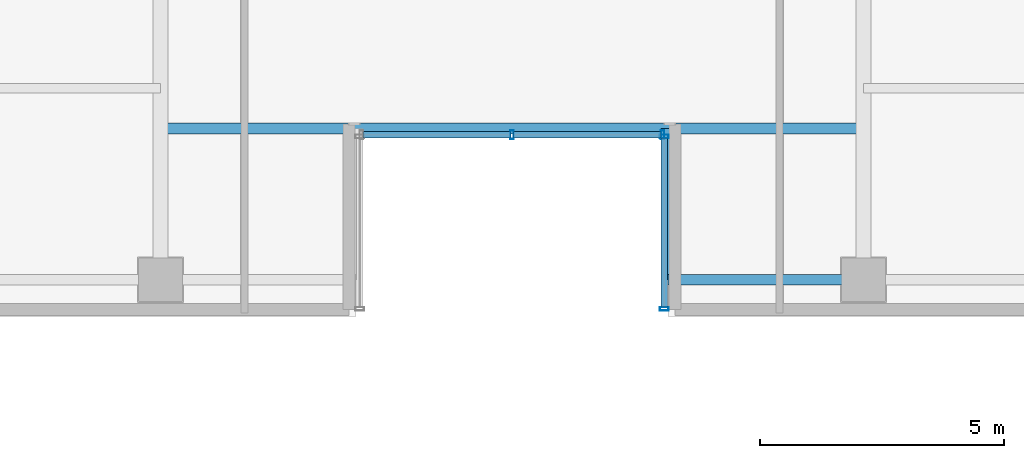
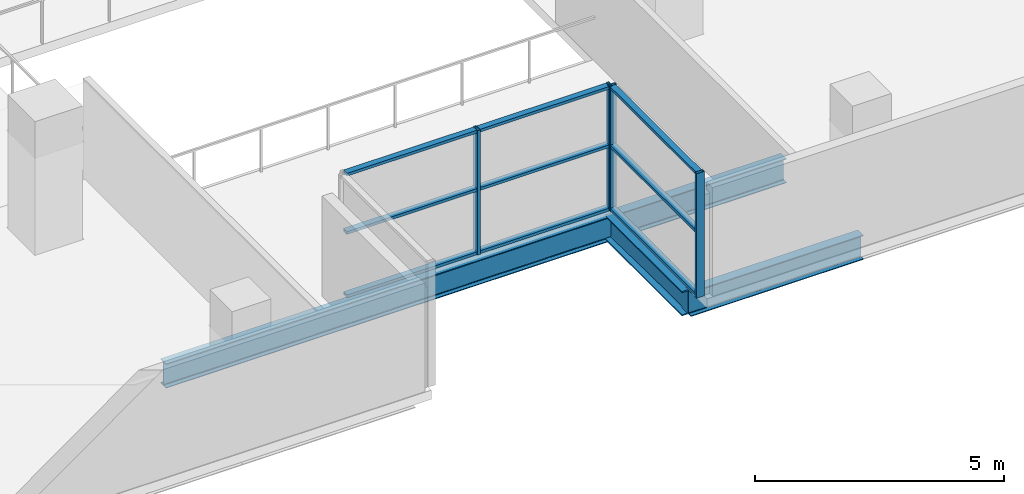
# One storey, part 9 of 31: 13 members, 3 beams, 2 elements without a shape of their own.
"""IFC4 building model written with IfcOpenShell, lengths in metres."""

from ifc_helpers import new_model, si_unit, direction, frame, origin, origin_2d, place, context, subcontext, project, spatial, hollow_rectangle, i_section, extrude, source, transform, mapped, material, layer, layer_set, material_profile, profile_set, type_object, element, aggregate, save


model = new_model("IFC4")

# Units and contexts
model_context = context("Model", 3, precision=1e-05, world=origin(), true_north=direction((0.0, 1.0)))
body_context = subcontext(model_context, "Body", "Model", "MODEL_VIEW")
ifc_project = project(units=[si_unit("LENGTHUNIT", "METRE"), si_unit("AREAUNIT", "SQUARE_METRE"), si_unit("VOLUMEUNIT", "CUBIC_METRE"), si_unit("PLANEANGLEUNIT", "RADIAN"), si_unit("MASSUNIT", "GRAM", prefix="KILO")], contexts=[model_context])

# Site, building, storey
site_placement = place(None, origin())
site = spatial("IfcSite", under=ifc_project, at=site_placement, CompositionType="ELEMENT")
building_placement = place(site_placement, origin())
building = spatial("IfcBuilding", under=site, at=building_placement, Name="Zarnakvel Exchange Tower", CompositionType="ELEMENT")
storey_placement = place(building_placement, frame((0.0, 0.0, 47.199951171875)))
storey = spatial("IfcBuildingStorey", under=building, at=storey_placement, Name="L12", CompositionType="ELEMENT", Elevation=47.199951171875)

# Beams
ifc_material_1 = material(Name="Steel S355", Category="steel")
ifc_material_profile_1 = material_profile(ifc_material_1, i_section(OverallWidth=0.300048828125, OverallDepth=0.60009765625, WebThickness=0.015380859375, FlangeThickness=0.030029296875, FilletRadius=0.027099609375, at=origin_2d()))
ifc_profile_set_1 = profile_set([ifc_material_profile_1], Name="Steel S355")
beam_type_1 = type_object("IfcBeamType", Name="G-04", PredefinedType="BEAM", material=ifc_profile_set_1)
beam_1_placement = place(storey_placement, frame((3.199951171875, -17.449951171875, -0.52490234375), z_axis=(0.0, 1.0, 0.0), x_axis=(-1.0, 0.0, 0.0)))
element("IfcBeam", 1, at=beam_1_placement, inside=storey, type_object=beam_type_1, Name="L12 South Slot East Cheek Beam", PredefinedType="BEAM", context=body_context, shape_type="SweptSolid", body=[
    extrude(i_section(OverallWidth=0.300048828125, OverallDepth=0.60009765625, WebThickness=0.015380859375, FlangeThickness=0.030029296875, FilletRadius=0.027099609375, at=origin_2d()), origin(), (0.0, 0.0, 1.0), 3.099853515625),
])
ifc_material_profile_2 = material_profile(ifc_material_1, i_section(OverallWidth=0.219970703125, OverallDepth=0.60009765625, WebThickness=0.011962890625, FlangeThickness=0.01904296875, FilletRadius=0.02392578125, at=origin_2d()))
ifc_profile_set_2 = profile_set([ifc_material_profile_2], Name="Steel S355")
beam_type_2 = type_object("IfcBeamType", Name="SP-01", PredefinedType="SPANDREL", material=ifc_profile_set_2)
beam_2_placement = place(storey_placement, frame((3.199951171875, -17.449951171875, -0.52490234375), z_axis=(1.0, 0.0, 0.0), x_axis=(0.0, 1.0, 0.0)))
element("IfcBeam", 2, at=beam_2_placement, inside=storey, type_object=beam_type_2, Name="L12 South Slot East Jamb Spandrel", PredefinedType="SPANDREL", context=body_context, shape_type="SweptSolid", body=[
    extrude(i_section(OverallWidth=0.219970703125, OverallDepth=0.60009765625, WebThickness=0.011962890625, FlangeThickness=0.01904296875, FilletRadius=0.02392578125, at=origin_2d()), origin(), (0.0, 0.0, 1.0), 4.0),
])
beam_3_placement = place(storey_placement, frame((-7.199951171875, -14.35009765625, -0.52490234375), z_axis=(1.0, 0.0, 0.0), x_axis=(0.0, 1.0, 0.0)))
element("IfcBeam", 3, at=beam_3_placement, inside=storey, type_object=beam_type_2, Name="L12 South Slot Head Trimmer Girder", PredefinedType="SPANDREL", context=body_context, shape_type="SweptSolid", body=[
    extrude(i_section(OverallWidth=0.219970703125, OverallDepth=0.60009765625, WebThickness=0.011962890625, FlangeThickness=0.01904296875, FilletRadius=0.02392578125, at=origin_2d()), origin(), (0.0, 0.0, 1.0), 14.39990234375),
])

# Curtain wall, members
ifc_material_2 = material(Name="Architectural Bronze Anodised Aluminium", Category="aluminium")
ifc_layer = layer(ifc_material_2, 0.179931640625)
ifc_layer_set = layer_set([ifc_layer], Name="Architectural Bronze Anodised Aluminium")
curtain_wall_type = type_object("IfcCurtainWallType", Name="CW-05", PredefinedType="NOTDEFINED", material=ifc_layer_set)
curtain_wall_1_placement = place(storey_placement, origin())
curtain_wall_1 = element("IfcCurtainWall", 4, at=curtain_wall_1_placement, inside=storey, type_object=curtain_wall_type, Name="L12 Curtain Wall CW-L12-SLE (CW-05)", PredefinedType="NOTDEFINED")
ifc_material_profile_3 = material_profile(ifc_material_2, hollow_rectangle(XDim=0.139892578125, YDim=0.070068359375, WallThickness=0.00390625, at=origin_2d()))
ifc_profile_set_3 = profile_set([ifc_material_profile_3], Name="Architectural Bronze Anodised Aluminium")
member_type_1 = type_object("IfcMemberType", Name="CWT-05", PredefinedType="USERDEFINED", material=ifc_profile_set_3)
shared_shape_1 = source(origin(), body_context, "Body", "SweptSolid", [
    extrude(hollow_rectangle(XDim=0.139892578125, YDim=0.070068359375, WallThickness=0.00390625, at=origin_2d()), origin(), (0.0, 0.0, 1.0), 3.4599609375),
])
member_1_placement = place(storey_placement, frame((3.1201171875, -14.550048828125, 0.03515625), z_axis=(0.0, -1.0, 0.0), x_axis=(1.0, 0.0, 0.0)))
member_1 = element("IfcMember", 5, at=member_1_placement, type_object=member_type_1, Name="CW-05 transom 1.1", ObjectType="TRANSOM", PredefinedType="USERDEFINED", context=body_context, shape_type="MappedRepresentation", body=[
    mapped(shared_shape_1, transform((0.0, 0.0, 0.0), x_axis=(1.0, 0.0, 0.0), y_axis=(0.0, 1.0, 0.0), z_axis=(0.0, 0.0, 1.0), scale=1.0)),
])
member_2_placement = place(storey_placement, frame((3.1201171875, -14.550048828125, 1.588623046875), z_axis=(0.0, -1.0, 0.0), x_axis=(1.0, 0.0, 0.0)))
member_2 = element("IfcMember", 6, at=member_2_placement, type_object=member_type_1, Name="CW-05 transom 1.2", ObjectType="TRANSOM", PredefinedType="USERDEFINED", context=body_context, shape_type="MappedRepresentation", body=[
    mapped(shared_shape_1, transform((0.0, 0.0, 0.0), x_axis=(1.0, 0.0, 0.0), y_axis=(0.0, 1.0, 0.0), z_axis=(0.0, 0.0, 1.0), scale=1.0)),
])
member_3_placement = place(storey_placement, frame((3.1201171875, -14.550048828125, 3.02001953125), z_axis=(0.0, -1.0, 0.0), x_axis=(1.0, 0.0, 0.0)))
member_3 = element("IfcMember", 7, at=member_3_placement, type_object=member_type_1, Name="CW-05 transom 1.3", ObjectType="TRANSOM", PredefinedType="USERDEFINED", context=body_context, shape_type="MappedRepresentation", body=[
    mapped(shared_shape_1, transform((0.0, 0.0, 0.0), x_axis=(1.0, 0.0, 0.0), y_axis=(0.0, 1.0, 0.0), z_axis=(0.0, 0.0, 1.0), scale=1.0)),
])

curtain_wall_2_placement = place(storey_placement, origin())
curtain_wall_2 = element("IfcCurtainWall", 8, at=curtain_wall_2_placement, inside=storey, type_object=curtain_wall_type, Name="L12 Curtain Wall CW-L12-SLB (CW-05)", PredefinedType="NOTDEFINED")
shared_shape_2 = source(origin(), body_context, "Body", "SweptSolid", [
    extrude(hollow_rectangle(XDim=0.139892578125, YDim=0.070068359375, WallThickness=0.00390625, at=origin_2d()), origin(), (0.0, 0.0, 1.0), 3.01513671875),
])
member_4_placement = place(storey_placement, frame((-3.050048828125, -14.47998046875, 0.03515625), z_axis=(1.0, 0.0, 0.0), x_axis=(0.0, 1.0, 0.0)))
member_4 = element("IfcMember", 9, at=member_4_placement, type_object=member_type_1, Name="CW-05 transom 1.1", ObjectType="TRANSOM", PredefinedType="USERDEFINED", context=body_context, shape_type="MappedRepresentation", body=[
    mapped(shared_shape_2, transform((0.0, 0.0, 0.0), x_axis=(1.0, 0.0, 0.0), y_axis=(0.0, 1.0, 0.0), z_axis=(0.0, 0.0, 1.0), scale=1.0)),
])
member_5_placement = place(storey_placement, frame((-3.050048828125, -14.47998046875, 1.588623046875), z_axis=(1.0, 0.0, 0.0), x_axis=(0.0, 1.0, 0.0)))
member_5 = element("IfcMember", 10, at=member_5_placement, type_object=member_type_1, Name="CW-05 transom 1.2", ObjectType="TRANSOM", PredefinedType="USERDEFINED", context=body_context, shape_type="MappedRepresentation", body=[
    mapped(shared_shape_2, transform((0.0, 0.0, 0.0), x_axis=(1.0, 0.0, 0.0), y_axis=(0.0, 1.0, 0.0), z_axis=(0.0, 0.0, 1.0), scale=1.0)),
])
member_6_placement = place(storey_placement, frame((-3.050048828125, -14.47998046875, 3.02001953125), z_axis=(1.0, 0.0, 0.0), x_axis=(0.0, 1.0, 0.0)))
member_6 = element("IfcMember", 11, at=member_6_placement, type_object=member_type_1, Name="CW-05 transom 1.3", ObjectType="TRANSOM", PredefinedType="USERDEFINED", context=body_context, shape_type="MappedRepresentation", body=[
    mapped(shared_shape_2, transform((0.0, 0.0, 0.0), x_axis=(1.0, 0.0, 0.0), y_axis=(0.0, 1.0, 0.0), z_axis=(0.0, 0.0, 1.0), scale=1.0)),
])
member_7_placement = place(storey_placement, frame((0.034912109375, -14.47998046875, 0.03515625), z_axis=(1.0, 0.0, 0.0), x_axis=(0.0, 1.0, 0.0)))
member_7 = element("IfcMember", 12, at=member_7_placement, type_object=member_type_1, Name="CW-05 transom 2.1", ObjectType="TRANSOM", PredefinedType="USERDEFINED", context=body_context, shape_type="MappedRepresentation", body=[
    mapped(shared_shape_2, transform((0.0, 0.0, 0.0), x_axis=(1.0, 0.0, 0.0), y_axis=(0.0, 1.0, 0.0), z_axis=(0.0, 0.0, 1.0), scale=1.0)),
])
member_8_placement = place(storey_placement, frame((0.034912109375, -14.47998046875, 1.588623046875), z_axis=(1.0, 0.0, 0.0), x_axis=(0.0, 1.0, 0.0)))
member_8 = element("IfcMember", 13, at=member_8_placement, type_object=member_type_1, Name="CW-05 transom 2.2", ObjectType="TRANSOM", PredefinedType="USERDEFINED", context=body_context, shape_type="MappedRepresentation", body=[
    mapped(shared_shape_2, transform((0.0, 0.0, 0.0), x_axis=(1.0, 0.0, 0.0), y_axis=(0.0, 1.0, 0.0), z_axis=(0.0, 0.0, 1.0), scale=1.0)),
])
member_9_placement = place(storey_placement, frame((0.034912109375, -14.47998046875, 3.02001953125), z_axis=(1.0, 0.0, 0.0), x_axis=(0.0, 1.0, 0.0)))
member_9 = element("IfcMember", 14, at=member_9_placement, type_object=member_type_1, Name="CW-05 transom 2.3", ObjectType="TRANSOM", PredefinedType="USERDEFINED", context=body_context, shape_type="MappedRepresentation", body=[
    mapped(shared_shape_2, transform((0.0, 0.0, 0.0), x_axis=(1.0, 0.0, 0.0), y_axis=(0.0, 1.0, 0.0), z_axis=(0.0, 0.0, 1.0), scale=1.0)),
])
ifc_material_profile_4 = material_profile(ifc_material_2, hollow_rectangle(XDim=0.179931640625, YDim=0.070068359375, WallThickness=0.00390625, at=origin_2d()))
ifc_profile_set_4 = profile_set([ifc_material_profile_4], Name="Architectural Bronze Anodised Aluminium")
member_type_2 = type_object("IfcMemberType", Name="CWM-05", PredefinedType="MULLION", material=ifc_profile_set_4)
shared_shape_3 = source(origin(), body_context, "Body", "SweptSolid", [
    extrude(hollow_rectangle(XDim=0.179931640625, YDim=0.070068359375, WallThickness=0.00390625, at=origin_2d()), origin(), (0.0, 0.0, 1.0), 3.054931640625),
])
member_10_placement = place(storey_placement, frame((0.0, -14.47998046875, 0.0), z_axis=(0.0, 0.0, 1.0), x_axis=(0.0, 1.0, 0.0)))
member_10 = element("IfcMember", 15, at=member_10_placement, type_object=member_type_2, Name="CW-05 mullion 2", PredefinedType="MULLION", context=body_context, shape_type="MappedRepresentation", body=[
    mapped(shared_shape_3, transform((0.0, 0.0, 0.0), x_axis=(1.0, 0.0, 0.0), y_axis=(0.0, 1.0, 0.0), z_axis=(0.0, 0.0, 1.0), scale=1.0)),
])
member_11_placement = place(storey_placement, frame((3.0849609375, -14.47998046875, 0.0), z_axis=(0.0, 0.0, 1.0), x_axis=(0.0, 1.0, 0.0)))
member_11 = element("IfcMember", 16, at=member_11_placement, type_object=member_type_2, Name="CW-05 mullion 3", PredefinedType="MULLION", context=body_context, shape_type="MappedRepresentation", body=[
    mapped(shared_shape_3, transform((0.0, 0.0, 0.0), x_axis=(1.0, 0.0, 0.0), y_axis=(0.0, 1.0, 0.0), z_axis=(0.0, 0.0, 1.0), scale=1.0)),
])
aggregate(curtain_wall_2, [member_10, member_11, member_4, member_5, member_6, member_7, member_8, member_9])

# Member
member_12_placement = place(storey_placement, frame((3.1201171875, -14.514892578125, 0.0), z_axis=(0.0, 0.0, 1.0), x_axis=(1.0, 0.0, 0.0)))
member_12 = element("IfcMember", 17, at=member_12_placement, type_object=member_type_2, Name="CW-05 mullion 1", PredefinedType="MULLION", context=body_context, shape_type="MappedRepresentation", body=[
    mapped(shared_shape_3, transform((0.0, 0.0, 0.0), x_axis=(1.0, 0.0, 0.0), y_axis=(0.0, 1.0, 0.0), z_axis=(0.0, 0.0, 1.0), scale=1.0)),
])

member_13_placement = place(storey_placement, frame((3.1201171875, -18.044921875, 0.0), z_axis=(0.0, 0.0, 1.0), x_axis=(1.0, 0.0, 0.0)))
member_13 = element("IfcMember", 18, at=member_13_placement, type_object=member_type_2, Name="CW-05 mullion 2", PredefinedType="MULLION", context=body_context, shape_type="MappedRepresentation", body=[
    mapped(shared_shape_3, transform((0.0, 0.0, 0.0), x_axis=(1.0, 0.0, 0.0), y_axis=(0.0, 1.0, 0.0), z_axis=(0.0, 0.0, 1.0), scale=1.0)),
])

aggregate(curtain_wall_1, [member_12, member_13, member_1, member_2, member_3])

save(model, "model.ifc")
